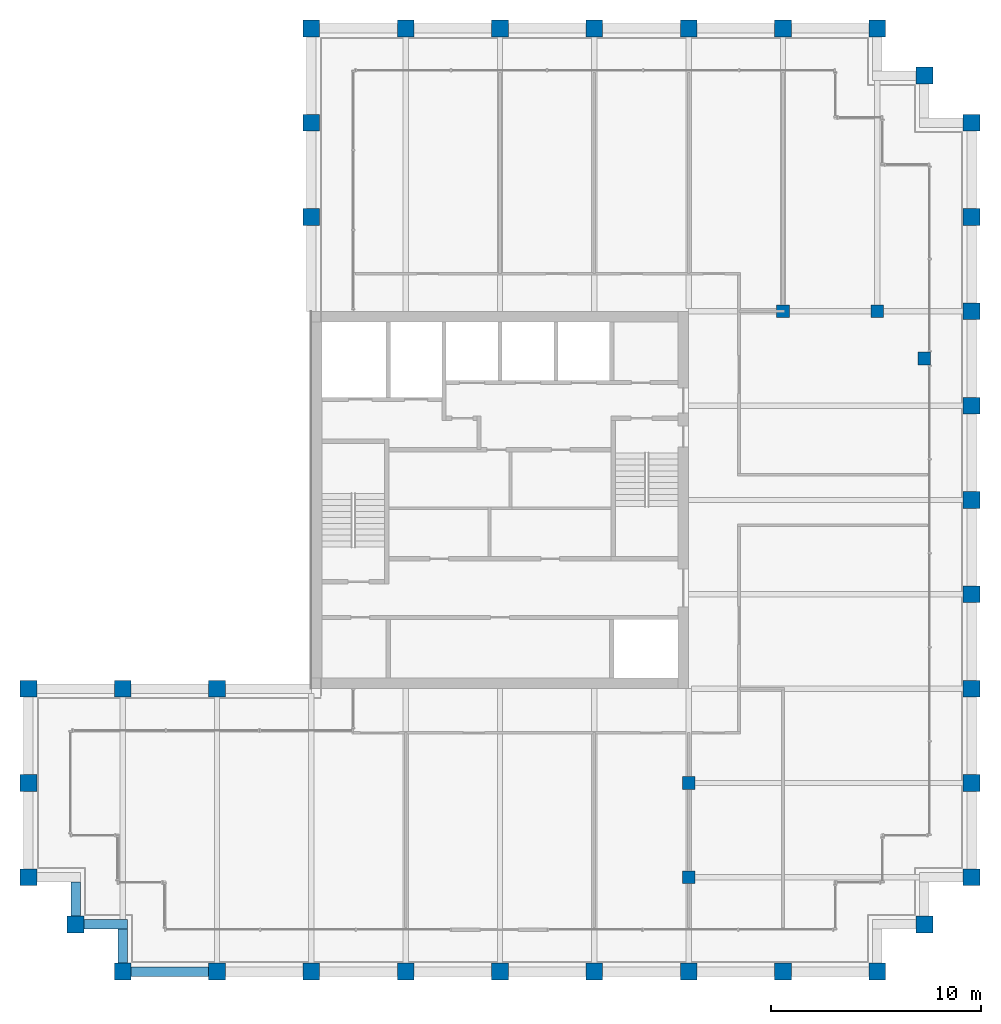
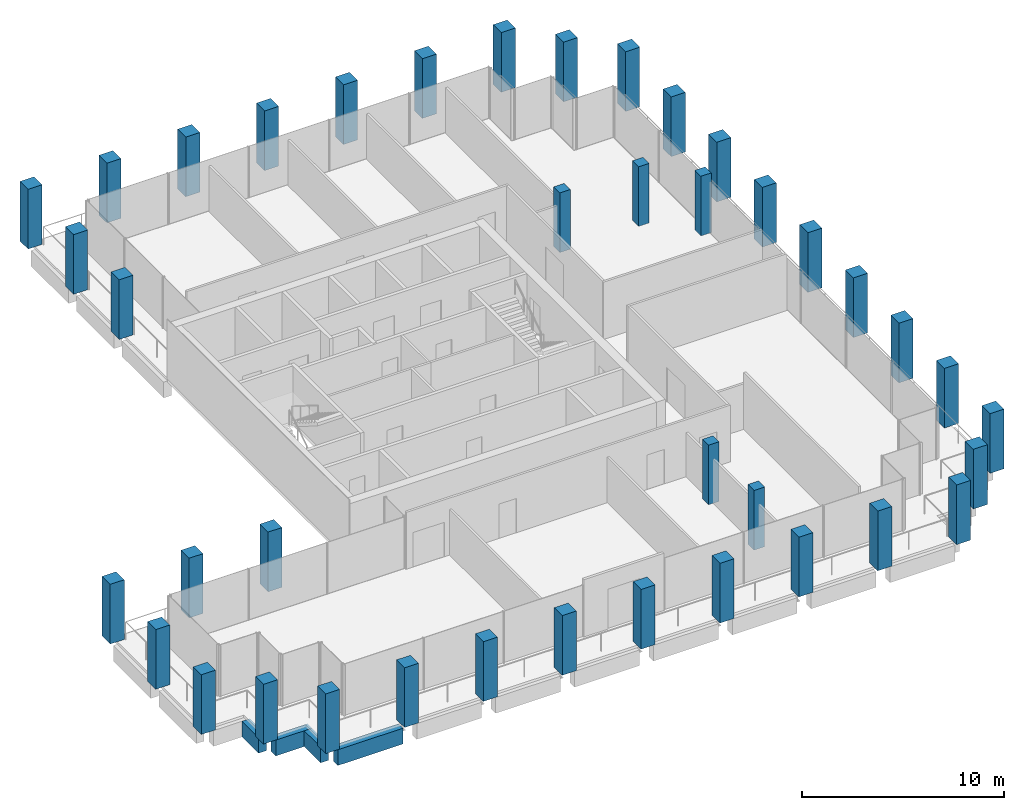
# One storey, part 1 of 30: 40 columns, 4 beams.
"""IFC4 building model written with IfcOpenShell, lengths in metres."""

import ifcopenshell
import ifcopenshell.guid

model = None  # the IFC model being written
_history = None  # IfcOwnerHistory: only IFC2X3 demands one
_inside = {}  # id of a spatial element -> (the spatial element, [elements in it])
_under = {}  # id of a project, library or spatial element -> (it, [spatial elements below it])
_declared = {}  # id of a project -> (the project, [libraries it declares])
_typed = {}  # id of a type object -> (the type object, [elements of that type])
_made_of = {}  # id of a material, layer set ... -> (it, [elements and type objects made of it])


def new_model(schema):
    """Start an empty IFC model of exactly this schema.

    Asked for "IFC4X3", IfcOpenShell would pick the latest addendum, in which some entities
    have other attributes; the version numbers below select the first issue.
    IFC2X3 requires an IfcOwnerHistory on every rooted entity: one is made here for all.
    """
    global model, _history
    if schema == "IFC4X3":
        model = ifcopenshell.file(schema_version=(4, 3, 0, 0))
    else:
        model = ifcopenshell.file(schema=schema)
    _inside.clear()
    _under.clear()
    _declared.clear()
    _typed.clear()
    _made_of.clear()
    _history = None
    if model.schema == "IFC2X3":
        org = make("IfcOrganization", Name="unknown")
        user = make(
            "IfcPersonAndOrganization",
            ThePerson=make("IfcPerson", FamilyName="unknown"),
            TheOrganization=org,
        )
        app = make(
            "IfcApplication",
            ApplicationDeveloper=org,
            Version="unknown",
            ApplicationFullName="unknown",
            ApplicationIdentifier="unknown",
        )
        _history = make(
            "IfcOwnerHistory",
            OwningUser=user,
            OwningApplication=app,
            ChangeAction="ADDED",
            CreationDate=0,
        )
    return model


def make(cls, **values):
    """One entity of the class cls with the attributes given. An attribute that is None is left unset."""
    return model.create_entity(
        cls, **{name: value for name, value in values.items() if value is not None}
    )


def rooted(cls, **values):
    """An entity with a GlobalId (a new one), such as an element, a storey or a relation."""
    return make(cls, GlobalId=ifcopenshell.guid.new(), OwnerHistory=_history, **values)


def si_unit(unit_type, name, prefix=None):
    """IfcSIUnit, for example si_unit("LENGTHUNIT", "METRE", prefix="MILLI")."""
    return make("IfcSIUnit", UnitType=unit_type, Prefix=prefix, Name=name)


def assignment(units):
    """IfcUnitAssignment: the units of a project."""
    return None if units is None else make("IfcUnitAssignment", Units=units)


def point(xyz):
    """IfcCartesianPoint."""
    return None if xyz is None else make("IfcCartesianPoint", Coordinates=xyz)


def direction(xyz):
    """IfcDirection."""
    return None if xyz is None else make("IfcDirection", DirectionRatios=xyz)


def frame(location, z_axis=None, x_axis=None):
    """IfcAxis2Placement3D, a coordinate frame: its origin and axes. An axis left out is left unset."""
    return make(
        "IfcAxis2Placement3D",
        Location=point(location),
        Axis=direction(z_axis),
        RefDirection=direction(x_axis),
    )


def frame_2d(location, x_axis=None):
    """IfcAxis2Placement2D, a coordinate frame in the plane: its origin and x axis."""
    return make(
        "IfcAxis2Placement2D", Location=point(location), RefDirection=direction(x_axis)
    )


def origin():
    """The frame at (0, 0, 0) with its axes left unset."""
    return frame((0.0, 0.0, 0.0))


def origin_2d():
    """The frame at (0, 0) in the plane with its x axis left unset."""
    return frame_2d((0.0, 0.0))


def place(relative_to, where):
    """IfcLocalPlacement: puts the frame where relative to a parent placement (None: the world)."""
    return make(
        "IfcLocalPlacement", PlacementRelTo=relative_to, RelativePlacement=where
    )


def context(
    kind, dimensions, precision=None, world=None, true_north=None, identifier=None
):
    """IfcGeometricRepresentationContext, for example the 3D "Model" context."""
    return make(
        "IfcGeometricRepresentationContext",
        ContextIdentifier=identifier,
        ContextType=kind,
        CoordinateSpaceDimension=dimensions,
        Precision=precision,
        WorldCoordinateSystem=world,
        TrueNorth=true_north,
    )


def subcontext(parent, identifier, kind, view, scale=None):
    """IfcGeometricRepresentationSubContext, for example "Body" below "Model"."""
    return make(
        "IfcGeometricRepresentationSubContext",
        ContextIdentifier=identifier,
        ContextType=kind,
        ParentContext=parent,
        TargetScale=scale,
        TargetView=view,
    )


def project(units=None, contexts=None):
    """IfcProject with its units and contexts."""
    return rooted(
        "IfcProject",
        Name="project",
        RepresentationContexts=contexts,
        UnitsInContext=assignment(units),
    )


def spatial(cls, under=None, at=None, **own):
    """A site, building, storey or space (cls), placed at a placement, below another one or the project."""
    s = rooted(cls, ObjectPlacement=at, **own)
    if under is not None:
        _under.setdefault(under.id(), (under, []))[1].append(s)
    return s


def profile(cls, at=None, kind="AREA", **sizes):
    """A parametric profile (cls). Its sizes go by their IFC names, for example OverallWidth=200.0."""
    return make(cls, ProfileType=kind, Position=at, **sizes)


def rectangle(**sizes):
    """IfcRectangleProfileDef."""
    return profile("IfcRectangleProfileDef", **sizes)


def extrude(swept, where, along, depth):
    """IfcExtrudedAreaSolid: the profile swept, set in the frame where, extruded along a direction by depth."""
    return make(
        "IfcExtrudedAreaSolid",
        SweptArea=swept,
        Position=where,
        ExtrudedDirection=direction(along),
        Depth=depth,
    )


def shape(context_of_items, identifier, shape_type, items):
    """IfcShapeRepresentation: the items that make up one representation, for example the "Body"."""
    return make(
        "IfcShapeRepresentation",
        ContextOfItems=context_of_items,
        RepresentationIdentifier=identifier,
        RepresentationType=shape_type,
        Items=items,
    )


def material(Name=None, Category=None):
    """IfcMaterial."""
    return make("IfcMaterial", Name=Name, Category=Category)


def material_profile(
    of_material, cross_section, Name=None, Category=None, Priority=None
):
    """IfcMaterialProfile: a cross section and its material."""
    return make(
        "IfcMaterialProfile",
        Name=Name,
        Material=of_material,
        Profile=cross_section,
        Priority=Priority,
        Category=Category,
    )


def profile_set(profiles, Name=None, composite=None):
    """IfcMaterialProfileSet."""
    return make(
        "IfcMaterialProfileSet",
        Name=Name,
        MaterialProfiles=profiles,
        CompositeProfile=composite,
    )


def made_of(thing, what):
    """Note that an element or type object is made of a material, layer set ...; save() writes the relation."""
    if what is not None:
        _made_of.setdefault(what.id(), (what, []))[1].append(thing)
    return thing


def type_object(cls, material=None, **own):
    """A type object (cls), such as IfcWallType, which elements share."""
    return made_of(rooted(cls, **own), material)


def element(
    cls,
    number,
    at=None,
    inside=None,
    cuts=None,
    type_object=None,
    material=None,
    context=None,
    identifier="Body",
    shape_type=None,
    held_by="IfcProductDefinitionShape",
    body=None,
    shapes=None,
    **own,
):
    """One element of the class cls, such as IfcWall. Its Tag is "e" and its number.

    at: its placement. inside: the storey or other place that contains it. cuts: it is an
    opening in that element (IfcRelVoidsElement). A single representation is given by context,
    identifier, shape_type and body (its items); several are given by shapes. held_by: the class
    of the entity that holds the representations. save() writes the other relations.
    """
    e = rooted(cls, Tag="e%d" % number, ObjectPlacement=at, **own)
    if body is not None:
        shapes = [shape(context, identifier, shape_type, body)]
    if shapes is not None:
        e.Representation = make(held_by, Representations=shapes)
    if inside is not None:
        _inside.setdefault(inside.id(), (inside, []))[1].append(e)
    if cuts is not None:
        rooted(
            "IfcRelVoidsElement", RelatingBuildingElement=cuts, RelatedOpeningElement=e
        )
    if type_object is not None:
        _typed.setdefault(type_object.id(), (type_object, []))[1].append(e)
    return made_of(e, material)


def aggregate(whole, parts):
    """IfcRelAggregates: a whole, such as a stair, and the parts it consists of."""
    return rooted("IfcRelAggregates", RelatingObject=whole, RelatedObjects=parts)


def save(model, path):
    """Write the relations noted so far, then the file.

    IfcRelAggregates (storeys below a building ...), IfcRelContainedInSpatialStructure (elements
    in a storey), IfcRelDefinesByType, IfcRelAssociatesMaterial and IfcRelDeclares: one each for
    every whole, place, type object, material and project.
    """
    for whole, parts in _under.values():
        aggregate(whole, parts)
    for where, things in _inside.values():
        rooted(
            "IfcRelContainedInSpatialStructure",
            RelatedElements=things,
            RelatingStructure=where,
        )
    for kind, things in _typed.values():
        rooted("IfcRelDefinesByType", RelatedObjects=things, RelatingType=kind)
    for what, things in _made_of.values():
        rooted("IfcRelAssociatesMaterial", RelatedObjects=things, RelatingMaterial=what)
    for by, libraries in _declared.values():
        rooted("IfcRelDeclares", RelatingContext=by, RelatedDefinitions=libraries)
    model.write(path)


model = new_model("IFC4")

# Units and contexts
model_context = context("Model", 3, precision=1e-05, world=origin(), true_north=direction((0.0, 1.0)))
body_context = subcontext(model_context, "Body", "Model", "MODEL_VIEW")
ifc_project = project(units=[si_unit("LENGTHUNIT", "METRE"), si_unit("AREAUNIT", "SQUARE_METRE"), si_unit("VOLUMEUNIT", "CUBIC_METRE"), si_unit("PLANEANGLEUNIT", "RADIAN"), si_unit("MASSUNIT", "GRAM", prefix="KILO")], contexts=[model_context])

# Site, building, storey
site_placement = place(None, origin())
site = spatial("IfcSite", under=ifc_project, at=site_placement, CompositionType="ELEMENT")
building_placement = place(site_placement, origin())
building = spatial("IfcBuilding", under=site, at=building_placement, Name="Altepetl Exchange Towers", CompositionType="ELEMENT")
storey_placement = place(building_placement, frame((0.0, 0.0, 224.39990234375)))
storey = spatial("IfcBuildingStorey", under=building, at=storey_placement, Name="L57", CompositionType="ELEMENT", Elevation=224.39990234375)

# Columns
ifc_material_1 = material(Name="Concrete C70/85", Category="concrete")
ifc_material_profile_1 = material_profile(ifc_material_1, rectangle(XDim=0.60009765625, YDim=0.60009765625, at=origin_2d()), Name="600 x 600")
ifc_profile_set_1 = profile_set([ifc_material_profile_1], Name="Concrete C70/85")
column_type_1 = type_object("IfcColumnType", Name="Interior column 600", PredefinedType="COLUMN", material=ifc_profile_set_1)
for number, where, name in (
    (1, (58.5, 31.5, 0.0), "col:A:L57:035"),
    (2, (58.5, 36.0, 0.0), "col:A:L57:036"),
    (3, (63.0, 58.5, 0.0), "col:A:L57:037"),
    (4, (67.5, 58.5, 0.0), "col:A:L57:038"),
    (5, (69.75, 56.25, 0.0), "col:A:L57:039"),
):
    element("IfcColumn", number, at=place(storey_placement, frame(where)), inside=storey, type_object=column_type_1, Name=name, PredefinedType="COLUMN", context=body_context, shape_type="SweptSolid", body=[
        extrude(rectangle(XDim=0.60009765625, YDim=0.60009765625, at=origin_2d()), origin(), (0.0, 0.0, 1.0), 3.60009765625),
    ])
ifc_material_2 = material(Name="Concrete C70/85 precast with cantera amarilla facing", Category="concrete")
ifc_material_profile_2 = material_profile(ifc_material_2, rectangle(XDim=0.800048828125, YDim=0.800048828125, at=origin_2d()), Name="800 x 800")
ifc_profile_set_2 = profile_set([ifc_material_profile_2], Name="Concrete C70/85 precast with cantera amarilla facing")
column_type_2 = type_object("IfcColumnType", Name="Perimeter column 800 cantera amarilla", PredefinedType="COLUMN", material=ifc_profile_set_2)
for number, where, name in (
    (6, (58.5, 27.0, 0.0), "col:A:L57:006"),
    (7, (63.0, 27.0, 0.0), "col:A:L57:007"),
    (8, (67.5, 27.0, 0.0), "col:A:L57:008"),
    (9, (69.75, 29.25, 0.0), "col:A:L57:009"),
    (10, (72.0, 31.5, 0.0), "col:A:L57:010"),
    (11, (72.0, 36.0, 0.0), "col:A:L57:011"),
    (12, (72.0, 40.5, 0.0), "col:A:L57:012"),
    (13, (72.0, 45.0, 0.0), "col:A:L57:013"),
    (14, (72.0, 49.5, 0.0), "col:A:L57:014"),
    (15, (72.0, 54.0, 0.0), "col:A:L57:015"),
):
    element("IfcColumn", number, at=place(storey_placement, frame(where)), inside=storey, type_object=column_type_2, Name=name, PredefinedType="COLUMN", context=body_context, shape_type="SweptSolid", body=[
        extrude(rectangle(XDim=0.800048828125, YDim=0.800048828125, at=origin_2d()), origin(), (0.0, 0.0, 1.0), 3.60009765625),
    ])
ifc_material_3 = material(Name="Concrete C70/85 precast with cantera blanca facing", Category="concrete")
ifc_material_profile_3 = material_profile(ifc_material_3, rectangle(XDim=0.800048828125, YDim=0.800048828125, at=origin_2d()), Name="800 x 800")
ifc_profile_set_3 = profile_set([ifc_material_profile_3], Name="Concrete C70/85 precast with cantera blanca facing")
column_type_3 = type_object("IfcColumnType", Name="Perimeter column 800 cantera blanca", PredefinedType="COLUMN", material=ifc_profile_set_3)
for number, where, name in (
    (16, (31.5, 27.0, 0.0), "col:A:L57:000"),
    (17, (36.0, 27.0, 0.0), "col:A:L57:001"),
    (18, (40.5, 27.0, 0.0), "col:A:L57:002"),
    (19, (45.0, 27.0, 0.0), "col:A:L57:003"),
    (20, (49.5, 27.0, 0.0), "col:A:L57:004"),
    (21, (54.0, 27.0, 0.0), "col:A:L57:005"),
    (22, (27.0, 36.0, 0.0), "col:A:L57:032"),
    (23, (27.0, 31.5, 0.0), "col:A:L57:033"),
    (24, (29.25, 29.25, 0.0), "col:A:L57:034"),
):
    element("IfcColumn", number, at=place(storey_placement, frame(where)), inside=storey, type_object=column_type_3, Name=name, PredefinedType="COLUMN", context=body_context, shape_type="SweptSolid", body=[
        extrude(rectangle(XDim=0.800048828125, YDim=0.800048828125, at=origin_2d()), origin(), (0.0, 0.0, 1.0), 3.60009765625),
    ])
ifc_material_4 = material(Name="Concrete C70/85 precast with cantera rosa facing", Category="concrete")
ifc_material_profile_4 = material_profile(ifc_material_4, rectangle(XDim=0.800048828125, YDim=0.800048828125, at=origin_2d()), Name="800 x 800")
ifc_profile_set_4 = profile_set([ifc_material_profile_4], Name="Concrete C70/85 precast with cantera rosa facing")
column_type_4 = type_object("IfcColumnType", Name="Perimeter column 800 cantera rosa", PredefinedType="COLUMN", material=ifc_profile_set_4)
for number, where, name in (
    (25, (72.0, 58.5, 0.0), "col:A:L57:016"),
    (26, (72.0, 63.0, 0.0), "col:A:L57:017"),
    (27, (72.0, 67.5, 0.0), "col:A:L57:018"),
    (28, (69.75, 69.75, 0.0), "col:A:L57:019"),
    (29, (67.5, 72.0, 0.0), "col:A:L57:020"),
    (30, (63.0, 72.0, 0.0), "col:A:L57:021"),
    (31, (58.5, 72.0, 0.0), "col:A:L57:022"),
    (32, (54.0, 72.0, 0.0), "col:A:L57:023"),
    (33, (49.5, 72.0, 0.0), "col:A:L57:024"),
    (34, (45.0, 72.0, 0.0), "col:A:L57:025"),
):
    element("IfcColumn", number, at=place(storey_placement, frame(where)), inside=storey, type_object=column_type_4, Name=name, PredefinedType="COLUMN", context=body_context, shape_type="SweptSolid", body=[
        extrude(rectangle(XDim=0.800048828125, YDim=0.800048828125, at=origin_2d()), origin(), (0.0, 0.0, 1.0), 3.60009765625),
    ])
ifc_material_5 = material(Name="Concrete C70/85 precast with tezontle facing", Category="concrete")
ifc_material_profile_5 = material_profile(ifc_material_5, rectangle(XDim=0.800048828125, YDim=0.800048828125, at=origin_2d()), Name="800 x 800")
ifc_profile_set_5 = profile_set([ifc_material_profile_5], Name="Concrete C70/85 precast with tezontle facing")
column_type_5 = type_object("IfcColumnType", Name="Perimeter column 800 tezontle", PredefinedType="COLUMN", material=ifc_profile_set_5)
for number, where, name in (
    (35, (40.5, 72.0, 0.0), "col:A:L57:026"),
    (36, (40.5, 67.5, 0.0), "col:A:L57:027"),
    (37, (40.5, 63.0, 0.0), "col:A:L57:028"),
    (38, (36.0, 40.5, 0.0), "col:A:L57:029"),
    (39, (31.5, 40.5, 0.0), "col:A:L57:030"),
    (40, (27.0, 40.5, 0.0), "col:A:L57:031"),
):
    element("IfcColumn", number, at=place(storey_placement, frame(where)), inside=storey, type_object=column_type_5, Name=name, PredefinedType="COLUMN", context=body_context, shape_type="SweptSolid", body=[
        extrude(rectangle(XDim=0.800048828125, YDim=0.800048828125, at=origin_2d()), origin(), (0.0, 0.0, 1.0), 3.60009765625),
    ])

# Beams
ifc_material_6 = material(Name="Concrete C50/60 precast with cantera blanca facing", Category="concrete")
ifc_material_profile_6 = material_profile(ifc_material_6, rectangle(XDim=0.449951171875, YDim=0.949951171875, at=origin_2d()), Name="450 x 950")
ifc_profile_set_6 = profile_set([ifc_material_profile_6], Name="Concrete C50/60 precast with cantera blanca facing")
beam_type = type_object("IfcBeamType", Name="Spandrel beam 450x950 cantera blanca", PredefinedType="SPANDREL", material=ifc_profile_set_6)
beam_1_placement = place(storey_placement, frame((31.89990234375, 27.0, -0.625), z_axis=(1.0, 0.0, 0.0), x_axis=(0.0, 1.0, 0.0)))
element("IfcBeam", 41, at=beam_1_placement, inside=storey, type_object=beam_type, Name="sp:A:L57:000", PredefinedType="SPANDREL", context=body_context, shape_type="SweptSolid", body=[
    extrude(rectangle(XDim=0.449951171875, YDim=0.949951171875, at=origin_2d()), origin(), (0.0, 0.0, 1.0), 3.7001953125),
])
beam_2_placement = place(storey_placement, frame((29.25, 31.27490234375, -0.625), z_axis=(0.0, -1.0, 0.0), x_axis=(1.0, 0.0, 0.0)))
element("IfcBeam", 42, at=beam_2_placement, inside=storey, type_object=beam_type, Name="sp:A:L57:039", PredefinedType="SPANDREL", context=body_context, shape_type="SweptSolid", body=[
    extrude(rectangle(XDim=0.449951171875, YDim=0.949951171875, at=origin_2d()), origin(), (0.0, 0.0, 1.0), 1.625),
])
beam_3_placement = place(storey_placement, frame((29.64990234375, 29.25, -0.625), z_axis=(1.0, 0.0, 0.0), x_axis=(0.0, 1.0, 0.0)))
element("IfcBeam", 43, at=beam_3_placement, inside=storey, type_object=beam_type, Name="sp:A:L57:040", PredefinedType="SPANDREL", context=body_context, shape_type="SweptSolid", body=[
    extrude(rectangle(XDim=0.449951171875, YDim=0.949951171875, at=origin_2d()), origin(), (0.0, 0.0, 1.0), 2.0751953125),
])
beam_4_placement = place(storey_placement, frame((31.5, 29.02490234375, -0.625), z_axis=(0.0, -1.0, 0.0), x_axis=(1.0, 0.0, 0.0)))
element("IfcBeam", 44, at=beam_4_placement, inside=storey, type_object=beam_type, Name="sp:A:L57:041", PredefinedType="SPANDREL", context=body_context, shape_type="SweptSolid", body=[
    extrude(rectangle(XDim=0.449951171875, YDim=0.949951171875, at=origin_2d()), origin(), (0.0, 0.0, 1.0), 1.625),
])

save(model, "model.ifc")
